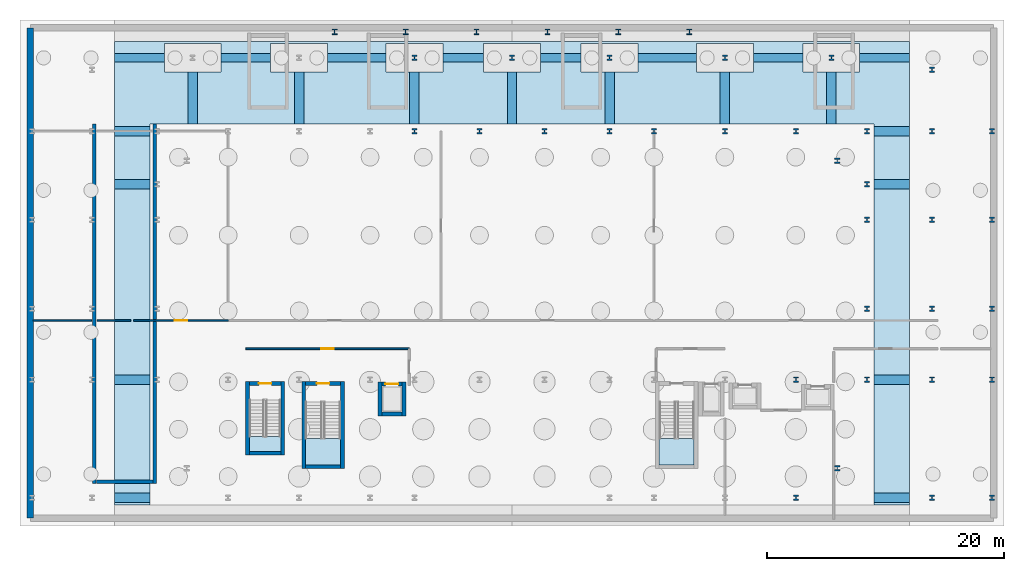
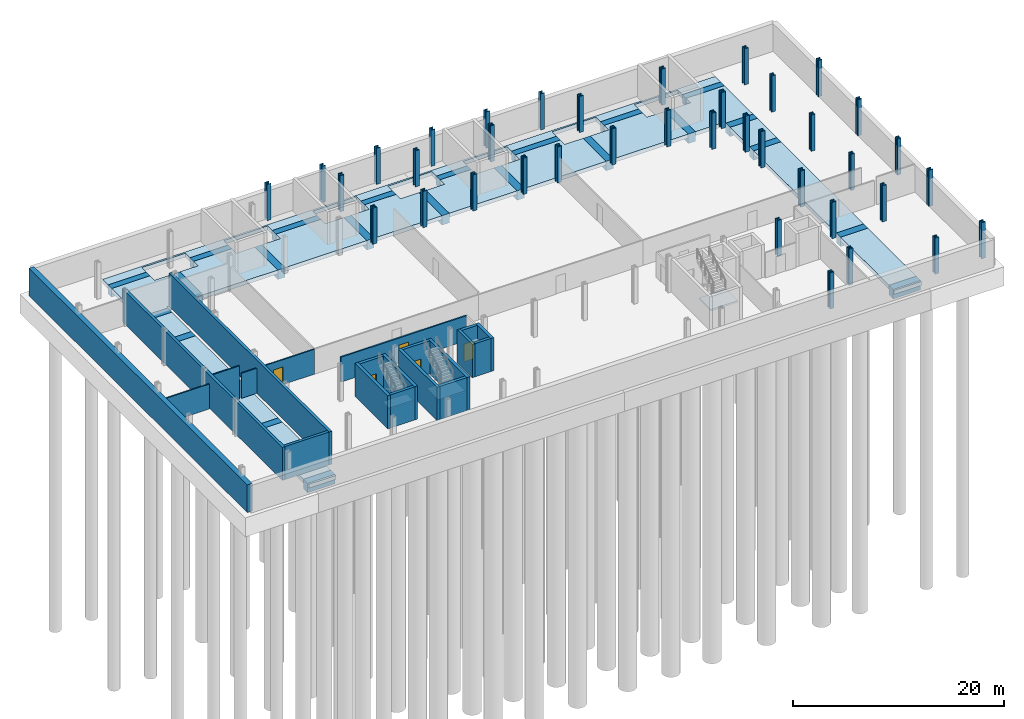
# One storey, part 2 of 7: 38 columns, 23 beams, 20 walls, 5 doors, 4 slabs, 5 openings, 3 elements without a shape of their own.
"""IFC4 building model written with IfcOpenShell, lengths in metres."""

from ifc_helpers import new_model, si_unit, direction, frame, frame_2d, origin, origin_2d, place, context, subcontext, project, spatial, polyline, rectangle, i_section, outline, extrude, material, layer, layer_set, material_profile, profile_set, type_object, element, fill, aggregate, save


model = new_model("IFC4")

# Units and contexts
model_context = context("Model", 3, precision=1e-05, world=origin(), true_north=direction((0.0, 1.0)))
body_context = subcontext(model_context, "Body", "Model", "MODEL_VIEW")
ifc_project = project(units=[si_unit("LENGTHUNIT", "METRE"), si_unit("AREAUNIT", "SQUARE_METRE"), si_unit("VOLUMEUNIT", "CUBIC_METRE"), si_unit("PLANEANGLEUNIT", "RADIAN"), si_unit("MASSUNIT", "GRAM", prefix="KILO")], contexts=[model_context])

# Site, building, storey
site_placement = place(None, origin())
site = spatial("IfcSite", under=ifc_project, at=site_placement, CompositionType="ELEMENT")
building_placement = place(site_placement, origin())
building = spatial("IfcBuilding", under=site, at=building_placement, Name="Brevholm Reach", CompositionType="ELEMENT")
storey_placement = place(building_placement, frame((0.0, 0.0, -8.39990234375)))
storey = spatial("IfcBuildingStorey", under=building, at=storey_placement, Name="B02", CompositionType="ELEMENT", Elevation=-8.39990234375)

# Columns
ifc_material_1 = material(Name="Structural Steel S460ML", Category="steel")
ifc_material_profile_1 = material_profile(ifc_material_1, i_section(OverallWidth=0.427978515625, OverallDepth=0.468994140625, WebThickness=0.077880859375, FlangeThickness=0.125, FilletRadius=0.014892578125, at=origin_2d()), Name="HD 400x1086")
ifc_profile_set_1 = profile_set([ifc_material_profile_1], Name="Structural Steel S460ML")
column_type_1 = type_object("IfcColumnType", Name="COL-HD1", PredefinedType="COLUMN", material=ifc_profile_set_1)
for number, where, z_axis, x_axis, name in (
    (1, (21.75, 31.0, 0.0), (0.0, 0.0, 1.0), (1.0, 0.0, 0.0), "B02 Column 32"),
    (2, (21.75, 37.199951171875, 0.0), (0.0, 0.0, 1.0), (1.0, 0.0, 0.0), "B02 Column 33"),
    (3, (27.25, 31.0, 0.0), (0.0, 0.0, 1.0), (1.0, 0.0, 0.0), "B02 Column 35"),
    (4, (30.0, 37.199951171875, 0.0), (0.0, 0.0, 1.0), (1.0, 0.0, 0.0), "B02 Column 36"),
    (5, (32.75, 31.0, 0.0), (0.0, 0.0, 1.0), (1.0, 0.0, 0.0), "B02 Column 38"),
    (6, (38.25, 31.0, 0.0), (0.0, 0.0, 1.0), (1.0, 0.0, 0.0), "B02 Column 41"),
    (7, (38.25, 37.199951171875, 0.0), (0.0, 0.0, 1.0), (1.0, 0.0, 0.0), "B02 Column 42"),
    (8, (42.0, 31.0, 0.0), (0.0, 0.0, 1.0), (1.0, 0.0, 0.0), "B02 Column 45"),
    (9, (48.0, 31.0, 0.0), (0.0, 0.0, 1.0), (1.0, 0.0, 0.0), "B02 Column 48"),
    (10, (48.0, 37.199951171875, 0.0), (0.0, 0.0, 1.0), (1.0, 0.0, 0.0), "B02 Column 49"),
    (11, (54.0, 0.0, 0.0), (0.0, 0.0, 1.0), (1.0, 0.0, 0.0), "B02 Column 50"),
    (12, (54.0, 10.0, 0.0), (0.0, 0.0, 1.0), (1.0, 0.0, 0.0), "B02 Column 51"),
    (13, (54.0, 31.0, 0.0), (0.0, 0.0, 1.0), (1.0, 0.0, 0.0), "B02 Column 52"),
    (14, (57.0, 37.199951171875, 0.0), (0.0, 0.0, 1.0), (1.0, 0.0, 0.0), "B02 Column 53"),
    (15, (57.5, 2.5, 0.0), (0.0, 0.0, 1.0), (1.0, 0.0, 0.0), "B02 Column 54"),
    (16, (57.5, 28.5, 0.0), (0.0, 0.0, 1.0), (1.0, 0.0, 0.0), "B02 Column 55"),
    (17, (60.0, 10.0, 0.0), (0.0, 0.0, 1.0), (1.0, 0.0, 0.0), "B02 Column 56"),
    (18, (60.0, 16.0, 0.0), (0.0, 0.0, 1.0), (1.0, 0.0, 0.0), "B02 Column 57"),
    (19, (60.0, 23.5, 0.0), (0.0, 0.0, 1.0), (1.0, 0.0, 0.0), "B02 Column 58"),
    (20, (60.0, 26.5, 0.0), (0.0, 0.0, 1.0), (1.0, 0.0, 0.0), "B02 Column 59"),
    (21, (60.0, 31.0, 0.0), (0.0, 0.0, 1.0), (1.0, 0.0, 0.0), "B02 Column 60"),
    (22, (65.5, 0.0, 0.0), (0.0, 0.0, 1.0), (1.0, 0.0, 0.0), "B02 Column 61"),
    (23, (65.5, 10.0, 0.0), (0.0, 0.0, 1.0), (1.0, 0.0, 0.0), "B02 Column 62"),
    (24, (65.5, 16.0, 0.0), (0.0, 0.0, 1.0), (1.0, 0.0, 0.0), "B02 Column 63"),
    (25, (65.5, 23.5, 0.0), (0.0, 0.0, 1.0), (1.0, 0.0, 0.0), "B02 Column 64"),
    (26, (65.5, 31.0, 0.0), (0.0, 0.0, 1.0), (1.0, 0.0, 0.0), "B02 Column 65"),
    (27, (65.5, 36.199951171875, 0.0), (0.0, 0.0, 1.0), (1.0, 0.0, 0.0), "B02 Column 66"),
    (28, (70.60009765625, 0.0, 0.0), (0.0, 0.0, 1.0), (1.0, 0.0, 0.0), "B02 Column 67"),
    (29, (70.60009765625, 10.0, 0.0), (0.0, 0.0, 1.0), (1.0, 0.0, 0.0), "B02 Column 68"),
    (30, (70.60009765625, 16.0, 0.0), (0.0, 0.0, 1.0), (1.0, 0.0, 0.0), "B02 Column 69"),
    (31, (70.60009765625, 23.5, 0.0), (0.0, 0.0, 1.0), (1.0, 0.0, 0.0), "B02 Column 70"),
    (32, (70.60009765625, 31.0, 0.0), (0.0, 0.0, 1.0), (1.0, 0.0, 0.0), "B02 Column 71"),
):
    element("IfcColumn", number, at=place(storey_placement, frame(where, z_axis=z_axis, x_axis=x_axis)), inside=storey, type_object=column_type_1, Name=name, PredefinedType="COLUMN", context=body_context, shape_type="SweptSolid", body=[
        extrude(i_section(OverallWidth=0.427978515625, OverallDepth=0.468994140625, WebThickness=0.077880859375, FlangeThickness=0.125, FilletRadius=0.014892578125, at=origin_2d()), origin(), (0.0, 0.0, 1.0), 4.199951171875),
    ])
ifc_material_2 = material(Name="Structural Steel S460ML", Category="steel")
ifc_material_profile_2 = material_profile(ifc_material_2, i_section(OverallWidth=0.41845703125, OverallDepth=0.45556640625, WebThickness=0.0419921875, FlangeThickness=0.0673828125, FilletRadius=0.01513671875, at=origin_2d()), Name="UKC 356x406x551")
ifc_profile_set_2 = profile_set([ifc_material_profile_2], Name="Structural Steel S460ML")
column_type_2 = type_object("IfcColumnType", Name="COL-UC2", PredefinedType="COLUMN", material=ifc_profile_set_2)
for number, where, z_axis, x_axis, name in (
    (33, (15.0, 39.39990234375, 0.0), (0.0, 0.0, 1.0), (1.0, 0.0, 0.0), "B02 Pilaster Support Column CP-01"),
    (34, (21.0, 39.39990234375, 0.0), (0.0, 0.0, 1.0), (1.0, 0.0, 0.0), "B02 Pilaster Support Column CP-02"),
    (35, (27.0, 39.39990234375, 0.0), (0.0, 0.0, 1.0), (1.0, 0.0, 0.0), "B02 Pilaster Support Column CP-03"),
    (36, (33.0, 39.39990234375, 0.0), (0.0, 0.0, 1.0), (1.0, 0.0, 0.0), "B02 Pilaster Support Column CP-04"),
    (37, (39.0, 39.39990234375, 0.0), (0.0, 0.0, 1.0), (1.0, 0.0, 0.0), "B02 Pilaster Support Column CP-05"),
    (38, (45.0, 39.39990234375, 0.0), (0.0, 0.0, 1.0), (1.0, 0.0, 0.0), "B02 Pilaster Support Column CP-06"),
):
    element("IfcColumn", number, at=place(storey_placement, frame(where, z_axis=z_axis, x_axis=x_axis)), inside=storey, type_object=column_type_2, Name=name, PredefinedType="COLUMN", context=body_context, shape_type="SweptSolid", body=[
        extrude(i_section(OverallWidth=0.41845703125, OverallDepth=0.45556640625, WebThickness=0.0419921875, FlangeThickness=0.0673828125, FilletRadius=0.01513671875, at=origin_2d()), origin(), (0.0, 0.0, 1.0), 4.199951171875),
    ])

# Beams
ifc_material_3 = material(Name="Concrete C50/60", Category="concrete")
ifc_material_profile_3 = material_profile(ifc_material_3, rectangle(XDim=0.699951171875, YDim=1.0, at=origin_2d()), Name="RC 700x1000")
ifc_profile_set_3 = profile_set([ifc_material_profile_3], Name="Concrete C50/60")
beam_type_1 = type_object("IfcBeamType", Name="BM-GB700", PredefinedType="BEAM", material=ifc_profile_set_3)
for number, where, z_axis, x_axis, name in (
    (39, (-3.60009765625, 37.199951171875, -0.5), (1.0, 0.0, 0.0), (0.0, 1.0, 0.0), "B02 Ground Tie Beam GB-EW01"),
    (40, (5.39990234375, 37.199951171875, -0.5), (1.0, 0.0, 0.0), (0.0, 1.0, 0.0), "B02 Ground Tie Beam GB-EW02"),
):
    element("IfcBeam", number, at=place(storey_placement, frame(where, z_axis=z_axis, x_axis=x_axis)), inside=storey, type_object=beam_type_1, Name=name, PredefinedType="BEAM", context=body_context, shape_type="SweptSolid", body=[
        extrude(rectangle(XDim=0.699951171875, YDim=1.0, at=origin_2d()), origin(), (0.0, 0.0, 1.0), 4.2001953125),
    ])
beam_1_placement = place(storey_placement, frame((14.39990234375, 37.199951171875, -0.5), z_axis=(1.0, 0.0, 0.0), x_axis=(0.0, 1.0, 0.0)))
element("IfcBeam", 41, at=beam_1_placement, inside=storey, type_object=beam_type_1, Name="B02 Ground Tie Beam GB-EW03", PredefinedType="BEAM", context=body_context, shape_type="SweptSolid", body=[
    extrude(rectangle(XDim=0.699951171875, YDim=1.0, at=origin_2d()), origin(), (0.0, 0.0, 1.0), 4.9501953125),
])
for number, where, z_axis, x_axis, name in (
    (42, (24.14990234375, 37.199951171875, -0.5), (1.0, 0.0, 0.0), (0.0, 1.0, 0.0), "B02 Ground Tie Beam GB-EW04"),
    (43, (32.39990234375, 37.199951171875, -0.5), (1.0, 0.0, 0.0), (0.0, 1.0, 0.0), "B02 Ground Tie Beam GB-EW05"),
):
    element("IfcBeam", number, at=place(storey_placement, frame(where, z_axis=z_axis, x_axis=x_axis)), inside=storey, type_object=beam_type_1, Name=name, PredefinedType="BEAM", context=body_context, shape_type="SweptSolid", body=[
        extrude(rectangle(XDim=0.699951171875, YDim=1.0, at=origin_2d()), origin(), (0.0, 0.0, 1.0), 3.4501953125),
    ])
beam_2_placement = place(storey_placement, frame((40.64990234375, 37.199951171875, -0.5), z_axis=(1.0, 0.0, 0.0), x_axis=(0.0, 1.0, 0.0)))
element("IfcBeam", 44, at=beam_2_placement, inside=storey, type_object=beam_type_1, Name="B02 Ground Tie Beam GB-EW06", PredefinedType="BEAM", context=body_context, shape_type="SweptSolid", body=[
    extrude(rectangle(XDim=0.699951171875, YDim=1.0, at=origin_2d()), origin(), (0.0, 0.0, 1.0), 4.9501953125),
])
for number, where, z_axis, x_axis, name in (
    (45, (50.39990234375, 37.199951171875, -0.5), (1.0, 0.0, 0.0), (0.0, 1.0, 0.0), "B02 Ground Tie Beam GB-EW07"),
    (46, (59.39990234375, 37.199951171875, -0.5), (1.0, 0.0, 0.0), (0.0, 1.0, 0.0), "B02 Ground Tie Beam GB-EW08"),
):
    element("IfcBeam", number, at=place(storey_placement, frame(where, z_axis=z_axis, x_axis=x_axis)), inside=storey, type_object=beam_type_1, Name=name, PredefinedType="BEAM", context=body_context, shape_type="SweptSolid", body=[
        extrude(rectangle(XDim=0.699951171875, YDim=1.0, at=origin_2d()), origin(), (0.0, 0.0, 1.0), 4.2001953125),
    ])
ifc_material_4 = material(Name="Concrete C50/60", Category="concrete")
ifc_material_profile_4 = material_profile(ifc_material_4, rectangle(XDim=0.800048828125, YDim=1.10009765625, at=origin_2d()), Name="RC 800x1100")
ifc_profile_set_4 = profile_set([ifc_material_profile_4], Name="Concrete C50/60")
beam_type_2 = type_object("IfcBeamType", Name="BM-GB800", PredefinedType="BEAM", material=ifc_profile_set_4)
for number, where, z_axis, x_axis, name in (
    (47, (-3.60009765625, 0.0, -0.550048828125), (1.0, 0.0, 0.0), (0.0, 1.0, 0.0), "B02 Wing Ground Tie Beam PCW-1"),
    (48, (-3.60009765625, 10.0, -0.550048828125), (1.0, 0.0, 0.0), (0.0, 1.0, 0.0), "B02 Wing Ground Tie Beam PCW-2"),
    (49, (-3.60009765625, 26.5, -0.550048828125), (1.0, 0.0, 0.0), (0.0, 1.0, 0.0), "B02 Wing Ground Tie Beam PCW-3"),
    (50, (-3.60009765625, 31.0, -0.550048828125), (1.0, 0.0, 0.0), (0.0, 1.0, 0.0), "B02 Wing Ground Tie Beam PCW-4"),
    (51, (60.60009765625, 0.0, -0.550048828125), (1.0, 0.0, 0.0), (0.0, 1.0, 0.0), "B02 Wing Ground Tie Beam PCE-1"),
    (52, (60.60009765625, 10.0, -0.550048828125), (1.0, 0.0, 0.0), (0.0, 1.0, 0.0), "B02 Wing Ground Tie Beam PCE-2"),
    (53, (60.60009765625, 26.5, -0.550048828125), (1.0, 0.0, 0.0), (0.0, 1.0, 0.0), "B02 Wing Ground Tie Beam PCE-3"),
    (54, (60.60009765625, 31.0, -0.550048828125), (1.0, 0.0, 0.0), (0.0, 1.0, 0.0), "B02 Wing Ground Tie Beam PCE-4"),
):
    element("IfcBeam", number, at=place(storey_placement, frame(where, z_axis=z_axis, x_axis=x_axis)), inside=storey, type_object=beam_type_2, Name=name, PredefinedType="BEAM", context=body_context, shape_type="SweptSolid", body=[
        extrude(rectangle(XDim=0.800048828125, YDim=1.10009765625, at=origin_2d()), origin(), (0.0, 0.0, 1.0), 3.0),
    ])
for number, where, z_axis, x_axis, name in (
    (55, (3.0, 31.60009765625, -0.550048828125), (0.0, 1.0, 0.0), (-1.0, 0.0, 0.0), "B02 Ground Tie Beam GB-N01"),
    (56, (12.0, 31.60009765625, -0.550048828125), (0.0, 1.0, 0.0), (-1.0, 0.0, 0.0), "B02 Ground Tie Beam GB-N02"),
    (57, (21.75, 31.60009765625, -0.550048828125), (0.0, 1.0, 0.0), (-1.0, 0.0, 0.0), "B02 Ground Tie Beam GB-N03"),
    (58, (30.0, 31.60009765625, -0.550048828125), (0.0, 1.0, 0.0), (-1.0, 0.0, 0.0), "B02 Ground Tie Beam GB-N04"),
    (59, (38.25, 31.60009765625, -0.550048828125), (0.0, 1.0, 0.0), (-1.0, 0.0, 0.0), "B02 Ground Tie Beam GB-N05"),
    (60, (48.0, 31.60009765625, -0.550048828125), (0.0, 1.0, 0.0), (-1.0, 0.0, 0.0), "B02 Ground Tie Beam GB-N06"),
    (61, (57.0, 31.60009765625, -0.550048828125), (0.0, 1.0, 0.0), (-1.0, 0.0, 0.0), "B02 Ground Tie Beam GB-N07"),
):
    element("IfcBeam", number, at=place(storey_placement, frame(where, z_axis=z_axis, x_axis=x_axis)), inside=storey, type_object=beam_type_2, Name=name, PredefinedType="BEAM", context=body_context, shape_type="SweptSolid", body=[
        extrude(rectangle(XDim=0.800048828125, YDim=1.10009765625, at=origin_2d()), origin(), (0.0, 0.0, 1.0), 4.39990234375),
    ])

# Slab
ifc_material_5 = material(Name="Concrete C50/60", Category="concrete")
ifc_layer_1 = layer(ifc_material_5, 0.449951171875)
ifc_layer_set_1 = layer_set([ifc_layer_1], Name="Concrete C50/60")
slab_type_1 = type_object("IfcSlabType", Name="SLB-BASE-450", PredefinedType="BASESLAB", material=ifc_layer_set_1)
slab_1_placement = place(storey_placement, frame((0.0, 0.0, -0.4501953125)))
element("IfcSlab", 62, at=slab_1_placement, inside=storey, type_object=slab_type_1, Name="B02 Basement Base Slab 1", PredefinedType="BASESLAB", context=body_context, shape_type="SweptSolid", body=[
    extrude(outline(polyline([(30.0, 38.60009765625), (63.60009765625, 38.60009765625), (63.60009765625, -0.60009765625), (60.60009765625, -0.60009765625), (60.60009765625, 31.60009765625), (-0.60009765625, 31.60009765625), (-0.60009765625, -0.60009765625), (-3.60009765625, -0.60009765625), (-3.60009765625, 38.60009765625), (30.0, 38.60009765625)]), holes=[polyline([(5.39990234375, 36.0), (5.39990234375, 38.39990234375), (0.60009765625, 38.39990234375), (0.60009765625, 36.0), (5.39990234375, 36.0)]), polyline([(14.39990234375, 36.0), (14.39990234375, 38.39990234375), (9.60009765625, 38.39990234375), (9.60009765625, 36.0), (14.39990234375, 36.0)]), polyline([(24.14990234375, 36.0), (24.14990234375, 38.39990234375), (19.35009765625, 38.39990234375), (19.35009765625, 36.0), (24.14990234375, 36.0)]), polyline([(32.39990234375, 36.0), (32.39990234375, 38.39990234375), (27.60009765625, 38.39990234375), (27.60009765625, 36.0), (32.39990234375, 36.0)]), polyline([(40.64990234375, 36.0), (40.64990234375, 38.39990234375), (35.85009765625, 38.39990234375), (35.85009765625, 36.0), (40.64990234375, 36.0)]), polyline([(50.39990234375, 36.0), (50.39990234375, 38.39990234375), (45.60009765625, 38.39990234375), (45.60009765625, 36.0), (50.39990234375, 36.0)]), polyline([(59.39990234375, 36.0), (59.39990234375, 38.39990234375), (54.60009765625, 38.39990234375), (54.60009765625, 36.0), (59.39990234375, 36.0)])]), origin(), (0.0, 0.0, 1.0), 0.4501953125),
])

# Stair, slab
ifc_material_6 = material(Name="Precast Concrete C40/50", Category="concrete")
stair_type_1 = type_object("IfcStairType", Name="STR-ESC-1400", PredefinedType="DOUBLE_RETURN_STAIR", material=ifc_material_6)
stair_1_placement = place(storey_placement, origin())
stair_1 = element("IfcStair", 63, at=stair_1_placement, inside=storey, type_object=stair_type_1, Name="B02 ST-1", PredefinedType="DOUBLE_RETURN_STAIR")
ifc_material_7 = material(Name="Concrete C40/50", Category="concrete")
ifc_layer_2 = layer(ifc_material_7, 0.199951171875)
ifc_layer_set_2 = layer_set([ifc_layer_2], Name="Concrete C40/50")
slab_type_2 = type_object("IfcSlabType", Name="SLB-LND-200", PredefinedType="LANDING", material=ifc_layer_set_2)
slab_2_placement = place(storey_placement, frame((0.0, 0.0, 1.89990234375)))
slab_2 = element("IfcSlab", 64, at=slab_2_placement, type_object=slab_type_2, Name="ST-1 landing 1", PredefinedType="LANDING", context=body_context, shape_type="SweptSolid", body=[
    extrude(outline(polyline([(12.550048828125, 5.02001953125), (12.550048828125, 2.780029296875), (15.5, 2.780029296875), (15.5, 5.02001953125), (12.550048828125, 5.02001953125)])), origin(), (0.0, 0.0, 1.0), 0.199951171875),
])
aggregate(stair_1, [slab_2])

stair_2_placement = place(storey_placement, origin())
stair_2 = element("IfcStair", 65, at=stair_2_placement, inside=storey, type_object=stair_type_1, Name="B02 ST-2", PredefinedType="DOUBLE_RETURN_STAIR")
slab_3_placement = place(storey_placement, frame((0.0, 0.0, 1.89990234375)))
slab_3 = element("IfcSlab", 66, at=slab_3_placement, type_object=slab_type_2, Name="ST-2 landing 1", PredefinedType="LANDING", context=body_context, shape_type="SweptSolid", body=[
    extrude(outline(polyline([(42.449951171875, 5.02001953125), (42.449951171875, 2.780029296875), (45.39990234375, 2.780029296875), (45.39990234375, 5.02001953125), (42.449951171875, 5.02001953125)])), origin(), (0.0, 0.0, 1.0), 0.199951171875),
])
aggregate(stair_2, [slab_3])

ifc_material_8 = material(Name="Precast Concrete C40/50", Category="concrete")
stair_type_2 = type_object("IfcStairType", Name="STR-ESC-1250", PredefinedType="DOUBLE_RETURN_STAIR", material=ifc_material_8)
stair_3_placement = place(storey_placement, origin())
stair_3 = element("IfcStair", 67, at=stair_3_placement, inside=storey, type_object=stair_type_2, Name="B02 ST-B1", PredefinedType="DOUBLE_RETURN_STAIR")
slab_4_placement = place(storey_placement, frame((0.0, 0.0, 1.89990234375)))
slab_4 = element("IfcSlab", 68, at=slab_4_placement, type_object=slab_type_2, Name="ST-B1 landing 1", PredefinedType="LANDING", context=body_context, shape_type="SweptSolid", body=[
    extrude(outline(polyline([(7.800048828125, 5.169921875), (7.800048828125, 3.919921875), (10.449951171875, 3.919921875), (10.449951171875, 5.169921875), (7.800048828125, 5.169921875)])), origin(), (0.0, 0.0, 1.0), 0.199951171875),
])
aggregate(stair_3, [slab_4])

# Walls
ifc_material_9 = material(Name="Concrete C60/75", Category="concrete")
ifc_layer_3 = layer(ifc_material_9, 0.320068359375)
ifc_layer_set_3 = layer_set([ifc_layer_3], Name="Concrete C60/75")
wall_type_1 = type_object("IfcWallType", Name="WAL-COR-320", PredefinedType="SHEAR", material=ifc_layer_set_3)
for number, where, z_axis, x_axis, name in (
    (69, (12.389892578125, 2.4599609375, 0.0), (0.0, 0.0, 1.0), (0.0, 1.0, 0.0), "B02 Escape Stair ST-1 Core Wall W"),
    (70, (15.659912109375, 2.4599609375, 0.0), (0.0, 0.0, 1.0), (0.0, 1.0, 0.0), "B02 Escape Stair ST-1 Core Wall E"),
):
    element("IfcWall", number, at=place(storey_placement, frame(where, z_axis=z_axis, x_axis=x_axis)), inside=storey, type_object=wall_type_1, Name=name, PredefinedType="SHEAR", context=body_context, shape_type="SweptSolid", body=[
        extrude(rectangle(XDim=7.360107421875, YDim=0.320068359375, at=frame_2d((3.68017578125, 0.0))), origin(), (0.0, 0.0, 1.0), 3.83984375),
    ])
wall_1_placement = place(storey_placement, frame((12.550048828125, 2.6201171875, 0.0), z_axis=(0.0, 0.0, 1.0), x_axis=(1.0, 0.0, 0.0)))
element("IfcWall", 71, at=wall_1_placement, inside=storey, type_object=wall_type_1, Name="B02 Escape Stair ST-1 Core Wall S", PredefinedType="SHEAR", context=body_context, shape_type="SweptSolid", body=[
    extrude(rectangle(XDim=2.949951171875, YDim=0.320068359375, at=frame_2d((1.47509765625, 0.0))), origin(), (0.0, 0.0, 1.0), 3.83984375),
])

# Wall, opening, door
wall_2_placement = place(storey_placement, frame((15.5, 9.659912109375, 0.0), z_axis=(0.0, 0.0, 1.0), x_axis=(-1.0, 0.0, 0.0)))
wall_2 = element("IfcWall", 72, at=wall_2_placement, inside=storey, type_object=wall_type_1, Name="B02 Escape Stair ST-1 Core Wall N", PredefinedType="SHEAR", context=body_context, shape_type="SweptSolid", body=[
    extrude(rectangle(XDim=2.949951171875, YDim=0.320068359375, at=frame_2d((1.47509765625, 0.0))), origin(), (0.0, 0.0, 1.0), 3.83984375),
])
opening_1_placement = place(wall_2_placement, frame((0.949951171875, 0.0, 0.0)))
opening_1 = element("IfcOpeningElement", 73, at=opening_1_placement, cuts=wall_2, Name="Opening SD-ST-1", PredefinedType="OPENING", context=body_context, shape_type="SweptSolid", body=[
    extrude(rectangle(XDim=1.050048828125, YDim=2.06005859375, at=frame_2d((0.52490234375, 1.030029296875))), frame((0.0, 0.169921875, 0.0), z_axis=(0.0, -1.0, 0.0), x_axis=(1.0, 0.0, 0.0)), (0.0, 0.0, 1.0), 0.340087890625),
])
ifc_material_10 = material(Name="Hardwood-Lipped Steel-Core Fire and Smoke Door", Category="steel")
door_type_1 = type_object("IfcDoorType", Name="DOR-INT-FD60S", OperationType="NOTDEFINED", PredefinedType="DOOR", material=ifc_material_10)
door_1_placement = place(opening_1_placement, origin())
door_1 = element("IfcDoor", 74, at=door_1_placement, inside=storey, type_object=door_type_1, Name="B02 Protected Stair ST-1 Lobby Door", OperationType="SINGLE_SWING_RIGHT", OverallHeight=2.06005859375, OverallWidth=1.050048828125, PredefinedType="DOOR", context=body_context, shape_type="SweptSolid", body=[
    extrude(rectangle(XDim=1.050048828125, YDim=2.06005859375, at=frame_2d((0.52490234375, 1.030029296875))), frame((0.0, 0.02490234375, 0.0), z_axis=(0.0, -1.0, 0.0), x_axis=(1.0, 0.0, 0.0)), (0.0, 0.0, 1.0), 0.050048828125),
])
fill(opening_1, door_1)

# Walls
for number, where, z_axis, x_axis, name in (
    (75, (7.639892578125, 3.60009765625, 0.0), (0.0, 0.0, 1.0), (0.0, 1.0, 0.0), "B02 Escape Stair ST-B1 Core Wall W"),
    (76, (10.610107421875, 3.60009765625, 0.0), (0.0, 0.0, 1.0), (0.0, 1.0, 0.0), "B02 Escape Stair ST-B1 Core Wall E"),
):
    element("IfcWall", number, at=place(storey_placement, frame(where, z_axis=z_axis, x_axis=x_axis)), inside=storey, type_object=wall_type_1, Name=name, PredefinedType="SHEAR", context=body_context, shape_type="SweptSolid", body=[
        extrude(rectangle(XDim=6.219970703125, YDim=0.320068359375, at=frame_2d((3.10986328125, 0.0))), origin(), (0.0, 0.0, 1.0), 3.83984375),
    ])
wall_3_placement = place(storey_placement, frame((7.800048828125, 3.760009765625, 0.0), z_axis=(0.0, 0.0, 1.0), x_axis=(1.0, 0.0, 0.0)))
element("IfcWall", 77, at=wall_3_placement, inside=storey, type_object=wall_type_1, Name="B02 Escape Stair ST-B1 Core Wall S", PredefinedType="SHEAR", context=body_context, shape_type="SweptSolid", body=[
    extrude(rectangle(XDim=2.64990234375, YDim=0.320068359375, at=frame_2d((1.324951171875, 0.0))), origin(), (0.0, 0.0, 1.0), 3.83984375),
])

# Wall, opening, door
wall_4_placement = place(storey_placement, frame((10.449951171875, 9.659912109375, 0.0), z_axis=(0.0, 0.0, 1.0), x_axis=(-1.0, 0.0, 0.0)))
wall_4 = element("IfcWall", 78, at=wall_4_placement, inside=storey, type_object=wall_type_1, Name="B02 Escape Stair ST-B1 Core Wall N", PredefinedType="SHEAR", context=body_context, shape_type="SweptSolid", body=[
    extrude(rectangle(XDim=2.64990234375, YDim=0.320068359375, at=frame_2d((1.324951171875, 0.0))), origin(), (0.0, 0.0, 1.0), 3.83984375),
])
opening_2_placement = place(wall_4_placement, frame((0.800048828125, 0.0, 0.0)))
opening_2 = element("IfcOpeningElement", 79, at=opening_2_placement, cuts=wall_4, Name="Opening SD-ST-B1", PredefinedType="OPENING", context=body_context, shape_type="SweptSolid", body=[
    extrude(rectangle(XDim=1.050048828125, YDim=2.06005859375, at=frame_2d((0.52490234375, 1.030029296875))), frame((0.0, 0.169921875, 0.0), z_axis=(0.0, -1.0, 0.0), x_axis=(1.0, 0.0, 0.0)), (0.0, 0.0, 1.0), 0.340087890625),
])
door_2_placement = place(opening_2_placement, origin())
door_2 = element("IfcDoor", 80, at=door_2_placement, inside=storey, type_object=door_type_1, Name="B02 Protected Stair ST-B1 Lobby Door", OperationType="SINGLE_SWING_RIGHT", OverallHeight=2.06005859375, OverallWidth=1.050048828125, PredefinedType="DOOR", context=body_context, shape_type="SweptSolid", body=[
    extrude(rectangle(XDim=1.050048828125, YDim=2.06005859375, at=frame_2d((0.52490234375, 1.030029296875))), frame((0.0, 0.02490234375, 0.0), z_axis=(0.0, -1.0, 0.0), x_axis=(1.0, 0.0, 0.0)), (0.0, 0.0, 1.0), 0.050048828125),
])
fill(opening_2, door_2)

# Walls
for number, where, z_axis, x_axis, name in (
    (81, (18.830078125, 6.919921875, 0.0), (0.0, 0.0, 1.0), (0.0, 1.0, 0.0), "B02 Lift FFL-1 Shaft Wall W"),
    (82, (20.8701171875, 6.919921875, 0.0), (0.0, 0.0, 1.0), (0.0, 1.0, 0.0), "B02 Lift FFL-1 Shaft Wall E"),
):
    element("IfcWall", number, at=place(storey_placement, frame(where, z_axis=z_axis, x_axis=x_axis)), inside=storey, type_object=wall_type_1, Name=name, PredefinedType="SHEAR", context=body_context, shape_type="SweptSolid", body=[
        extrude(rectangle(XDim=2.860107421875, YDim=0.320068359375, at=frame_2d((1.43017578125, 0.0))), origin(), (0.0, 0.0, 1.0), 3.83984375),
    ])
wall_5_placement = place(storey_placement, frame((18.989990234375, 7.080078125, 0.0), z_axis=(0.0, 0.0, 1.0), x_axis=(1.0, 0.0, 0.0)))
element("IfcWall", 83, at=wall_5_placement, inside=storey, type_object=wall_type_1, Name="B02 Lift FFL-1 Shaft Wall S", PredefinedType="SHEAR", context=body_context, shape_type="SweptSolid", body=[
    extrude(rectangle(XDim=1.719970703125, YDim=0.320068359375, at=frame_2d((0.85986328125, 0.0))), origin(), (0.0, 0.0, 1.0), 3.83984375),
])

# Wall, opening, door
wall_6_placement = place(storey_placement, frame((18.989990234375, 9.6201171875, 0.0), z_axis=(0.0, 0.0, 1.0), x_axis=(1.0, 0.0, 0.0)))
wall_6 = element("IfcWall", 84, at=wall_6_placement, inside=storey, type_object=wall_type_1, Name="B02 Lift FFL-1 Shaft Wall N", PredefinedType="SHEAR", context=body_context, shape_type="SweptSolid", body=[
    extrude(rectangle(XDim=1.719970703125, YDim=0.320068359375, at=frame_2d((0.85986328125, 0.0))), origin(), (0.0, 0.0, 1.0), 3.83984375),
])
opening_3_placement = place(wall_6_placement, frame((0.31005859375, 0.0, 0.0)))
opening_3 = element("IfcOpeningElement", 85, at=opening_3_placement, cuts=wall_6, Name="Opening LD-FFL-1", PredefinedType="OPENING", context=body_context, shape_type="SweptSolid", body=[
    extrude(rectangle(XDim=1.10009765625, YDim=2.06005859375, at=frame_2d((0.550048828125, 1.030029296875))), frame((0.0, 0.169921875, 0.0), z_axis=(0.0, -1.0, 0.0), x_axis=(1.0, 0.0, 0.0)), (0.0, 0.0, 1.0), 0.340087890625),
])
ifc_material_11 = material(Name="Brushed Stainless Steel Fire-Rated Sliding Lift Door", Category="steel")
door_type_2 = type_object("IfcDoorType", Name="DOR-LFT-1100", OperationType="NOTDEFINED", PredefinedType="DOOR", material=ifc_material_11)
door_3_placement = place(opening_3_placement, origin())
door_3 = element("IfcDoor", 86, at=door_3_placement, inside=storey, type_object=door_type_2, Name="B02 Lift FFL-1 Sliding Landing Door", OperationType="SLIDING_TO_RIGHT", OverallHeight=2.06005859375, OverallWidth=1.10009765625, PredefinedType="DOOR", context=body_context, shape_type="SweptSolid", body=[
    extrude(rectangle(XDim=1.10009765625, YDim=2.06005859375, at=frame_2d((0.550048828125, 1.030029296875))), frame((0.0, 0.02490234375, 0.0), z_axis=(0.0, -1.0, 0.0), x_axis=(1.0, 0.0, 0.0)), (0.0, 0.0, 1.0), 0.050048828125),
])
fill(opening_3, door_3)

ifc_material_12 = material(Name="Twin-Stud Acoustic Fire-Rated Gypsum Partition 140 mm", Category="gypsum")
ifc_layer_4 = layer(ifc_material_12, 0.139892578125)
ifc_layer_set_4 = layer_set([ifc_layer_4], Name="Twin-Stud Acoustic Fire-Rated Gypsum Partition 140 mm")
wall_type_2 = type_object("IfcWallType", Name="WAL-PRT-140", PredefinedType="PARTITIONING", material=ifc_layer_set_4)
wall_7_placement = place(storey_placement, frame((-2.0, 15.0, 0.0), z_axis=(0.0, 0.0, 1.0), x_axis=(1.0, 0.0, 0.0)))
wall_7 = element("IfcWall", 87, at=wall_7_placement, inside=storey, type_object=wall_type_2, Name="B02 Internal Partition 005", PredefinedType="PARTITIONING", context=body_context, shape_type="SweptSolid", body=[
    extrude(rectangle(XDim=8.01123046875, YDim=0.139892578125, at=frame_2d((4.005615234375, 0.0))), origin(), (0.0, 0.0, 1.0), 2.893798828125),
])
opening_4_placement = place(wall_7_placement, frame((3.480712890625, 0.0, 0.0)))
opening_4 = element("IfcOpeningElement", 88, at=opening_4_placement, cuts=wall_7, Name="Opening FD-01", PredefinedType="OPENING", context=body_context, shape_type="SweptSolid", body=[
    extrude(rectangle(XDim=1.050048828125, YDim=2.06005859375, at=frame_2d((0.52490234375, 1.030029296875))), frame((0.0, 0.079833984375, 0.0), z_axis=(0.0, -1.0, 0.0), x_axis=(1.0, 0.0, 0.0)), (0.0, 0.0, 1.0), 0.159912109375),
])
door_4_placement = place(opening_4_placement, origin())
door_4 = element("IfcDoor", 89, at=door_4_placement, inside=storey, type_object=door_type_1, Name="B02 Internal Door 005", OperationType="SINGLE_SWING_LEFT", OverallHeight=2.06005859375, OverallWidth=1.050048828125, PredefinedType="DOOR", context=body_context, shape_type="SweptSolid", body=[
    extrude(rectangle(XDim=1.050048828125, YDim=2.06005859375, at=frame_2d((0.52490234375, 1.030029296875))), frame((0.0, 0.02490234375, 0.0), z_axis=(0.0, -1.0, 0.0), x_axis=(1.0, 0.0, 0.0)), (0.0, 0.0, 1.0), 0.050048828125),
])
fill(opening_4, door_4)

# Walls
wall_8_placement = place(storey_placement, frame((-10.485107421875, 15.0, 0.0), z_axis=(0.0, 0.0, 1.0), x_axis=(1.0, 0.0, 0.0)))
element("IfcWall", 90, at=wall_8_placement, inside=storey, type_object=wall_type_2, Name="B02 Internal Partition 015", PredefinedType="PARTITIONING", context=body_context, shape_type="SweptSolid", body=[
    extrude(rectangle(XDim=4.93505859375, YDim=0.139892578125, at=frame_2d((2.467529296875, 0.0))), origin(), (0.0, 0.0, 1.0), 2.893798828125),
])
wall_9_placement = place(storey_placement, frame((-5.070068359375, 15.0, 0.0), z_axis=(0.0, 0.0, 1.0), x_axis=(1.0, 0.0, 0.0)))
element("IfcWall", 91, at=wall_9_placement, inside=storey, type_object=wall_type_2, Name="B02 Internal Partition 016", PredefinedType="PARTITIONING", context=body_context, shape_type="SweptSolid", body=[
    extrude(rectangle(XDim=2.830078125, YDim=0.139892578125, at=frame_2d((1.4150390625, 0.0))), origin(), (0.0, 0.0, 1.0), 3.83984375),
])

# Wall, opening, door
ifc_material_13 = material(Name="Twin-Frame Fire-Rated Gypsum Board and Mineral Wool 160 mm", Category="gypsum")
ifc_layer_5 = layer(ifc_material_13, 0.159912109375)
ifc_layer_set_5 = layer_set([ifc_layer_5], Name="Twin-Frame Fire-Rated Gypsum Board and Mineral Wool 160 mm")
wall_type_3 = type_object("IfcWallType", Name="WAL-PRT-160", PredefinedType="PARTITIONING", material=ifc_layer_set_5)
wall_10_placement = place(storey_placement, frame((7.5, 12.60009765625, 0.0), z_axis=(0.0, 0.0, 1.0), x_axis=(1.0, 0.0, 0.0)))
wall_10 = element("IfcWall", 92, at=wall_10_placement, inside=storey, type_object=wall_type_3, Name="B02 Internal Partition 002", PredefinedType="PARTITIONING", context=body_context, shape_type="SweptSolid", body=[
    extrude(rectangle(XDim=13.800048828125, YDim=0.159912109375, at=frame_2d((6.89990234375, 0.0))), origin(), (0.0, 0.0, 1.0), 2.893798828125),
])
opening_5_placement = place(wall_10_placement, frame((6.375, 0.0, 0.0)))
opening_5 = element("IfcOpeningElement", 93, at=opening_5_placement, cuts=wall_10, Name="Opening FD-01", PredefinedType="OPENING", context=body_context, shape_type="SweptSolid", body=[
    extrude(rectangle(XDim=1.050048828125, YDim=2.06005859375, at=frame_2d((0.52490234375, 1.030029296875))), frame((0.0, 0.08984375, 0.0), z_axis=(0.0, -1.0, 0.0), x_axis=(1.0, 0.0, 0.0)), (0.0, 0.0, 1.0), 0.179931640625),
])
door_5_placement = place(opening_5_placement, origin())
door_5 = element("IfcDoor", 94, at=door_5_placement, inside=storey, type_object=door_type_1, Name="B02 Internal Door 002", OperationType="SINGLE_SWING_RIGHT", OverallHeight=2.06005859375, OverallWidth=1.050048828125, PredefinedType="DOOR", context=body_context, shape_type="SweptSolid", body=[
    extrude(rectangle(XDim=1.050048828125, YDim=2.06005859375, at=frame_2d((0.52490234375, 1.030029296875))), frame((0.0, 0.02490234375, 0.0), z_axis=(0.0, -1.0, 0.0), x_axis=(1.0, 0.0, 0.0)), (0.0, 0.0, 1.0), 0.050048828125),
])
fill(opening_5, door_5)

# Walls
ifc_material_14 = material(Name="Concrete C50/60", Category="concrete")
ifc_layer_6 = layer(ifc_material_14, 0.550048828125)
ifc_layer_set_6 = layer_set([ifc_layer_6], Name="Concrete C50/60")
wall_type_4 = type_object("IfcWallType", Name="WAL-RET-550", PredefinedType="SHEAR", material=ifc_layer_set_6)
wall_11_placement = place(storey_placement, frame((-10.72509765625, 39.72509765625, 0.0), z_axis=(0.0, 0.0, 1.0), x_axis=(0.0, -1.0, 0.0)))
element("IfcWall", 95, at=wall_11_placement, inside=storey, type_object=wall_type_4, Name="B02 Facade Wall WAL-B02-RET-4", PredefinedType="SHEAR", context=body_context, shape_type="SweptSolid", body=[
    extrude(rectangle(XDim=41.4501953125, YDim=0.550048828125, at=frame_2d((20.72509765625, 0.0))), origin(), (0.0, 0.0, 1.0), 3.199951171875),
])
ifc_material_15 = material(Name="Concrete C50/60", Category="concrete")
ifc_layer_7 = layer(ifc_material_15, 0.300048828125)
ifc_layer_set_7 = layer_set([ifc_layer_7], Name="Concrete C50/60")
wall_type_5 = type_object("IfcWallType", Name="WAL-RMP-300", PredefinedType="SHEAR", material=ifc_layer_set_7)
for number, where, z_axis, x_axis, name in (
    (96, (-5.31005859375, 1.199951171875, 0.0), (0.0, 0.0, 1.0), (0.0, 1.0, 0.0), "B02 Vehicle Ramp Support Shear Wall W"),
    (97, (-0.18994140625, 1.199951171875, 0.0), (0.0, 0.0, 1.0), (0.0, 1.0, 0.0), "B02 Vehicle Ramp Support Shear Wall E"),
):
    element("IfcWall", number, at=place(storey_placement, frame(where, z_axis=z_axis, x_axis=x_axis)), inside=storey, type_object=wall_type_5, Name=name, PredefinedType="SHEAR", context=body_context, shape_type="SweptSolid", body=[
        extrude(rectangle(XDim=30.400146484375, YDim=0.300048828125, at=frame_2d((15.2001953125, 0.0))), origin(), (0.0, 0.0, 1.0), 3.83984375),
    ])
wall_12_placement = place(storey_placement, frame((-5.14990234375, 1.35009765625, 0.0), z_axis=(0.0, 0.0, 1.0), x_axis=(1.0, 0.0, 0.0)))
element("IfcWall", 98, at=wall_12_placement, inside=storey, type_object=wall_type_5, Name="B02 Vehicle Ramp South Headwall", PredefinedType="SHEAR", context=body_context, shape_type="SweptSolid", body=[
    extrude(rectangle(XDim=4.7998046875, YDim=0.300048828125, at=frame_2d((2.39990234375, 0.0))), origin(), (0.0, 0.0, 1.0), 3.83984375),
])

save(model, "model.ifc")
